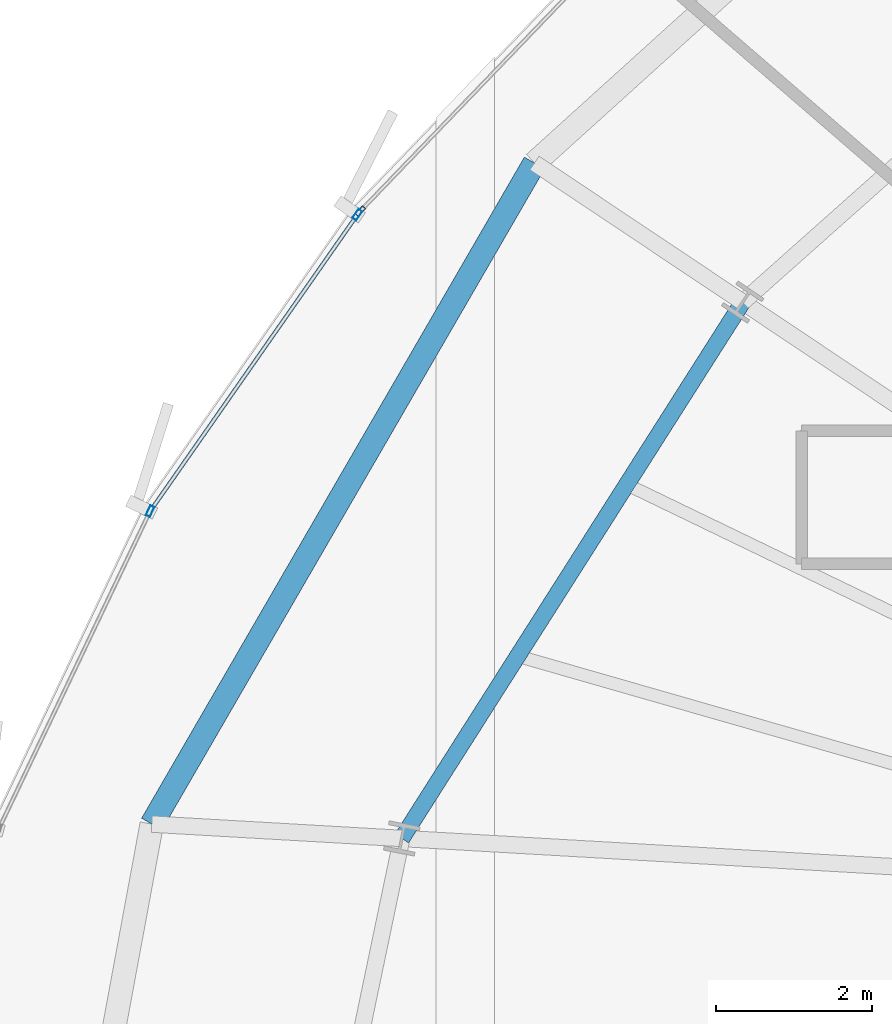
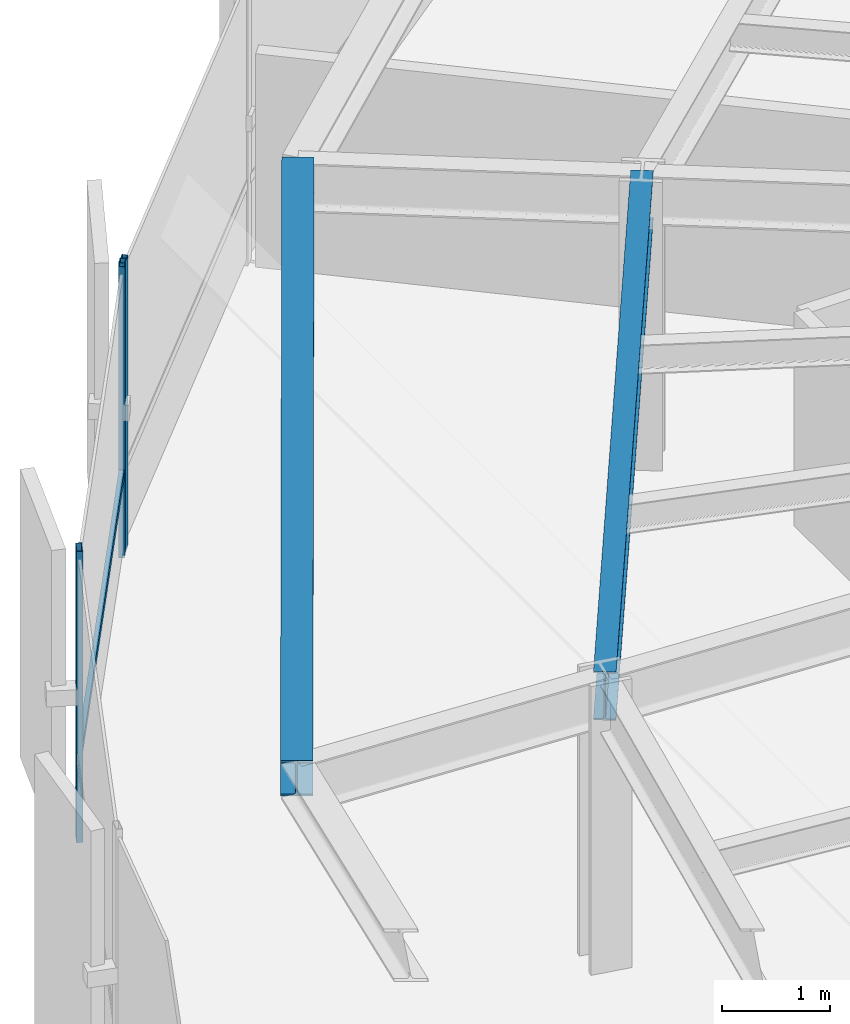
# One storey, part 18 of 35: 4 members, 2 beams, 2 elements without a shape of their own.
"""IFC4 building model written with IfcOpenShell, lengths in metres."""

from ifc_helpers import new_model, si_unit, direction, frame, origin, origin_2d, place, context, subcontext, project, spatial, hollow_rectangle, i_section, extrude, source, transform, mapped, material, layer, layer_set, material_profile, profile_set, type_object, element, aggregate, save


model = new_model("IFC4")

# Units and contexts
model_context = context("Model", 3, precision=1e-05, world=origin(), true_north=direction((0.0, 1.0)))
body_context = subcontext(model_context, "Body", "Model", "MODEL_VIEW")
ifc_project = project(units=[si_unit("LENGTHUNIT", "METRE"), si_unit("AREAUNIT", "SQUARE_METRE"), si_unit("VOLUMEUNIT", "CUBIC_METRE"), si_unit("PLANEANGLEUNIT", "RADIAN"), si_unit("MASSUNIT", "GRAM", prefix="KILO"), si_unit("THERMODYNAMICTEMPERATUREUNIT", "KELVIN")], contexts=[model_context])

# Site, building, storey
site_placement = place(None, origin())
site = spatial("IfcSite", under=ifc_project, at=site_placement, CompositionType="ELEMENT")
building_placement = place(site_placement, origin())
building = spatial("IfcBuilding", under=site, at=building_placement, Name="Kethvar Cultural Tower", CompositionType="ELEMENT")
storey_placement = place(building_placement, frame((0.0, 0.0, 135.89990234375)))
storey = spatial("IfcBuildingStorey", under=building, at=storey_placement, Name="L34", CompositionType="ELEMENT", Elevation=135.89990234375)

# Beams
ifc_material_1 = material(Name="Steel S355J2", Category="steel")
ifc_material_profile_1 = material_profile(ifc_material_1, i_section(OverallWidth=0.2099609375, OverallDepth=0.550048828125, WebThickness=0.010986328125, FlangeThickness=0.01708984375, FilletRadius=0.02392578125, at=origin_2d()), Name="Steel S355J2 — IPE550")
ifc_profile_set_1 = profile_set([ifc_material_profile_1], Name="Steel S355J2 — IPE550")
beam_type_1 = type_object("IfcBeamType", Name="BM-IPE550", PredefinedType="BEAM", material=ifc_profile_set_1)
shared_shape_1 = source(origin(), body_context, "Body", "SweptSolid", [
    extrude(i_section(OverallWidth=0.2099609375, OverallDepth=0.550048828125, WebThickness=0.010986328125, FlangeThickness=0.01708984375, FilletRadius=0.02392578125, at=origin_2d()), origin(), (0.0, 0.0, 1.0), 8.122314453125),
])
beam_1_placement = place(storey_placement, frame((30.345947265625, 38.794189453125, 3.023193359375), z_axis=(-0.536478664647, -0.843913883272, 0.0), x_axis=(0.843913883272, -0.536478664647, 0.0)))
element("IfcBeam", 1, at=beam_1_placement, inside=storey, type_object=beam_type_1, Name="L34 Column Ring Tie Beam CR-07", PredefinedType="BEAM", context=body_context, shape_type="MappedRepresentation", body=[
    mapped(shared_shape_1, transform((0.0, 0.0, 0.0), scale=1.0)),
])
ifc_material_profile_2 = material_profile(ifc_material_1, i_section(OverallWidth=0.300048828125, OverallDepth=0.39990234375, WebThickness=0.013427734375, FlangeThickness=0.02392578125, FilletRadius=0.027099609375, at=origin_2d()), Name="Steel S355J2 — HEB400")
ifc_profile_set_2 = profile_set([ifc_material_profile_2], Name="Steel S355J2 — HEB400")
beam_type_2 = type_object("IfcBeamType", Name="BM-SP400", PredefinedType="SPANDREL", material=ifc_profile_set_2)
shared_shape_2 = source(origin(), body_context, "Body", "SweptSolid", [
    extrude(i_section(OverallWidth=0.300048828125, OverallDepth=0.39990234375, WebThickness=0.013427734375, FlangeThickness=0.02392578125, FilletRadius=0.027099609375, at=origin_2d()), origin(), (0.0, 0.0, 1.0), 9.762939453125),
])
beam_2_placement = place(storey_placement, frame((27.685302734375, 40.572021484375, 3.09814453125), z_axis=(-0.501043170838, -0.865422290536, 0.0), x_axis=(0.865422290536, -0.501043170838, 0.0)))
element("IfcBeam", 2, at=beam_2_placement, inside=storey, type_object=beam_type_2, Name="L34 Perimeter Spandrel Beam SP-07", PredefinedType="SPANDREL", context=body_context, shape_type="MappedRepresentation", body=[
    mapped(shared_shape_2, transform((0.0, 0.0, 0.0), scale=1.0)),
])

# Curtain wall, member
ifc_material_2 = material(Name="Aluminium 6063-T6", Category="aluminium")
ifc_layer = layer(ifc_material_2, 0.179931640625, Name="Aluminium 6063-T6", Category="aluminium")
ifc_layer_set = layer_set([ifc_layer], Name="Aluminium 6063-T6 (180 mm)")
curtain_wall_type = type_object("IfcCurtainWallType", Name="CW-SYS-04-Z34", PredefinedType="NOTDEFINED", material=ifc_layer_set)
curtain_wall_1_placement = place(storey_placement, origin())
curtain_wall_1 = element("IfcCurtainWall", 3, at=curtain_wall_1_placement, inside=storey, type_object=curtain_wall_type, Name="L34 Curtain Wall Run 02", PredefinedType="NOTDEFINED")
ifc_material_profile_3 = material_profile(ifc_material_2, hollow_rectangle(XDim=0.06005859375, YDim=0.139892578125, WallThickness=0.0048828125, at=origin_2d()), Name="Aluminium 6063-T6 — RHS140x60x5")
ifc_profile_set_3 = profile_set([ifc_material_profile_3], Name="Aluminium 6063-T6 — RHS140x60x5")
member_type_1 = type_object("IfcMemberType", Name="CW-SYS-04-Z34-MUL", PredefinedType="MULLION", material=ifc_profile_set_3)
shared_shape_3 = source(origin(), body_context, "Body", "SweptSolid", [
    extrude(hollow_rectangle(XDim=0.06005859375, YDim=0.139892578125, WallThickness=0.0048828125, at=origin_2d()), origin(), (0.0, 0.0, 1.0), 3.300048828125),
])
member_1_placement = place(storey_placement, frame((25.458984375, 39.957275390625, 0.0), z_axis=(0.0, 0.0, 1.0), x_axis=(0.720793110676, -0.69315026625, 0.0)))
member_1 = element("IfcMember", 4, at=member_1_placement, type_object=member_type_1, Name="CW-L34-R02 Mullion 7", PredefinedType="MULLION", context=body_context, shape_type="MappedRepresentation", body=[
    mapped(shared_shape_3, transform((0.0, 0.0, 0.0), scale=1.0)),
])
aggregate(curtain_wall_1, [member_1])

# Curtain wall, members
curtain_wall_2_placement = place(storey_placement, origin())
curtain_wall_2 = element("IfcCurtainWall", 5, at=curtain_wall_2_placement, inside=storey, type_object=curtain_wall_type, Name="L34 Curtain Wall Run 03", PredefinedType="NOTDEFINED")
member_2_placement = place(storey_placement, frame((25.420654296875, 39.910400390625, 0.0), z_axis=(0.0, 0.0, 1.0), x_axis=(0.81971225759, -0.572775536102, 0.0)))
member_2 = element("IfcMember", 6, at=member_2_placement, type_object=member_type_1, Name="CW-L34-R03 Mullion 1", PredefinedType="MULLION", context=body_context, shape_type="MappedRepresentation", body=[
    mapped(shared_shape_3, transform((0.0, 0.0, 0.0), scale=1.0)),
])
member_3_placement = place(storey_placement, frame((22.772216796875, 36.122802734375, 0.0), z_axis=(0.0, 0.0, 1.0), x_axis=(0.902915626961, -0.429817834192, 0.0)))
member_3 = element("IfcMember", 7, at=member_3_placement, type_object=member_type_1, Name="CW-L34-R03 Mullion 2", PredefinedType="MULLION", context=body_context, shape_type="MappedRepresentation", body=[
    mapped(shared_shape_3, transform((0.0, 0.0, 0.0), scale=1.0)),
])
ifc_material_profile_4 = material_profile(ifc_material_2, hollow_rectangle(XDim=0.050048828125, YDim=0.10009765625, WallThickness=0.00390625, at=origin_2d()), Name="Aluminium 6063-T6 — RHS100x50x4")
ifc_profile_set_4 = profile_set([ifc_material_profile_4], Name="Aluminium 6063-T6 — RHS100x50x4")
member_type_2 = type_object("IfcMemberType", Name="CW-SYS-04-Z34-TRN", PredefinedType="USERDEFINED", material=ifc_profile_set_4)
shared_shape_4 = source(origin(), body_context, "Body", "SweptSolid", [
    extrude(hollow_rectangle(XDim=0.050048828125, YDim=0.10009765625, WallThickness=0.00390625, at=origin_2d()), origin(), (0.0, 0.0, 1.0), 4.59228515625),
])
member_4_placement = place(storey_placement, frame((25.418212890625, 39.906982421875, 0.9501953125), z_axis=(-0.572773525939, -0.819713662192, 0.0), x_axis=(0.819713662192, -0.572773525939, 0.0)))
member_4 = element("IfcMember", 8, at=member_4_placement, type_object=member_type_2, Name="CW-L34-R03 Transom 1", ObjectType="TRANSOM", PredefinedType="USERDEFINED", context=body_context, shape_type="MappedRepresentation", body=[
    mapped(shared_shape_4, transform((0.0, 0.0, 0.0), scale=1.0)),
])
aggregate(curtain_wall_2, [member_2, member_3, member_4])

save(model, "model.ifc")
